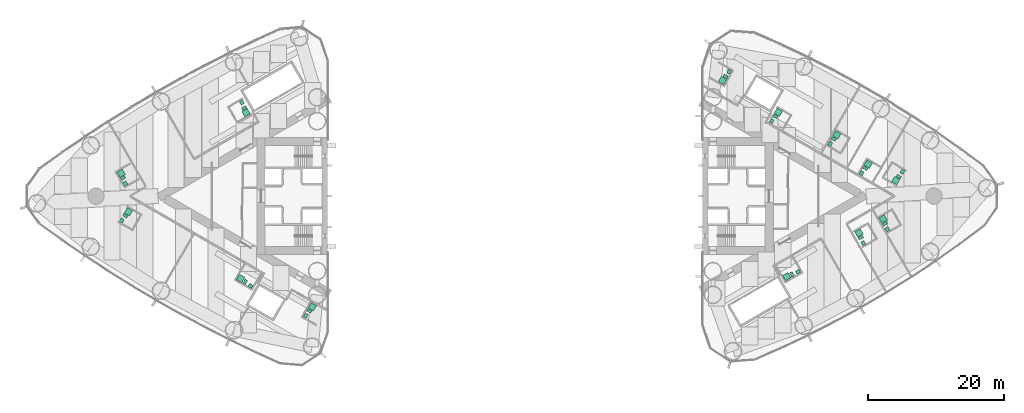
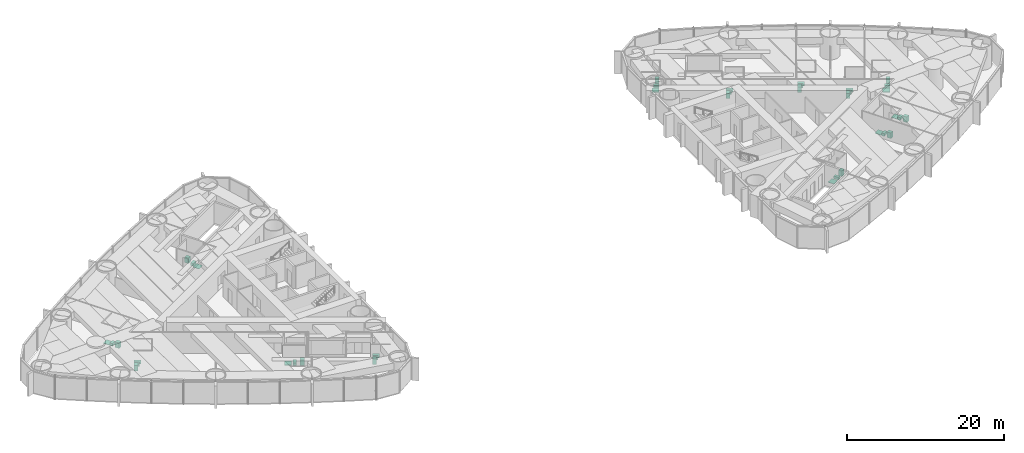
# One storey, part 18 of 18: 17 sanitary terminals.
"""IFC4 building model written with IfcOpenShell, lengths in metres."""

from ifc_helpers import new_model, si_unit, direction, frame, origin, origin_2d, place, context, subcontext, project, spatial, rectangle, extrude, material, type_object, element, save


model = new_model("IFC4")

# Units and contexts
model_context = context("Model", 3, precision=1e-05, world=origin(), true_north=direction((0.0, 1.0)))
body_context = subcontext(model_context, "Body", "Model", "MODEL_VIEW")
ifc_project = project(units=[si_unit("LENGTHUNIT", "METRE"), si_unit("AREAUNIT", "SQUARE_METRE"), si_unit("VOLUMEUNIT", "CUBIC_METRE"), si_unit("PLANEANGLEUNIT", "RADIAN"), si_unit("MASSUNIT", "GRAM", prefix="KILO")], contexts=[model_context])

# Site, building, storey
site_placement = place(None, origin())
site = spatial("IfcSite", under=ifc_project, at=site_placement, CompositionType="ELEMENT")
building_placement = place(site_placement, origin())
building = spatial("IfcBuilding", under=site, at=building_placement, Name="Lancet Gate Hotel", CompositionType="ELEMENT")
storey_placement = place(building_placement, frame((0.0, 0.0, 101.10009765625)))
storey = spatial("IfcBuildingStorey", under=building, at=storey_placement, Name="L26", CompositionType="ELEMENT", Elevation=101.10009765625)

# Sanitary terminals
ifc_material_1 = material(Name="Vitreous china sanitary ware")
sanitary_terminal_type_1 = type_object("IfcSanitaryTerminalType", Name="En-suite sanitary set (shower, WC, basin)", PredefinedType="USERDEFINED", material=ifc_material_1)
sanitary_terminal_1_placement = place(storey_placement, frame((-57.81689453125, 3.355224609375, 0.0), z_axis=(0.0, 0.0, 1.0), x_axis=(1.0, 0.0, 0.0)))
element("IfcSanitaryTerminal", 1, at=sanitary_terminal_1_placement, inside=storey, type_object=sanitary_terminal_type_1, Name="En-suite sanitary set (shower, WC, basin) 2604", ObjectType="EN-SUITE SANITARY SET", PredefinedType="USERDEFINED", context=body_context, shape_type="SweptSolid", body=[
    extrude(rectangle(XDim=0.89990234375, YDim=0.89990234375, at=origin_2d()), frame((0.0, 0.0, 0.0), z_axis=(0.0, 0.0, 1.0), x_axis=(-0.5, 0.866025403784, 0.0)), (0.0, 0.0, 1.0), 0.050048828125),
    extrude(rectangle(XDim=0.39990234375, YDim=0.699951171875, at=origin_2d()), frame((0.2783203125, -0.68212890625, 0.0), z_axis=(0.0, 0.0, 1.0), x_axis=(-0.5, 0.866025403784, 0.0)), (0.0, 0.0, 1.0), 0.39990234375),
    extrude(rectangle(XDim=0.60009765625, YDim=0.5, at=origin_2d()), frame((0.6318359375, -1.494384765625, 0.0), z_axis=(0.0, 0.0, 1.0), x_axis=(-0.5, 0.866025403784, 0.0)), (0.0, 0.0, 1.0), 0.85009765625),
])
sanitary_terminal_2_placement = place(storey_placement, frame((-56.745849609375, -2.28759765625, 0.0), z_axis=(0.0, 0.0, 1.0), x_axis=(1.0, 0.0, 0.0)))
element("IfcSanitaryTerminal", 2, at=sanitary_terminal_2_placement, inside=storey, type_object=sanitary_terminal_type_1, Name="En-suite sanitary set (shower, WC, basin) 2605", ObjectType="EN-SUITE SANITARY SET", PredefinedType="USERDEFINED", context=body_context, shape_type="SweptSolid", body=[
    extrude(rectangle(XDim=0.89990234375, YDim=0.89990234375, at=origin_2d()), frame((0.0, 0.0, 0.0), z_axis=(0.0, 0.0, 1.0), x_axis=(0.5, 0.866025403784, 0.0)), (0.0, 0.0, 1.0), 0.050048828125),
    extrude(rectangle(XDim=0.39990234375, YDim=0.699951171875, at=origin_2d()), frame((-0.45166015625, -0.582275390625, 0.0), z_axis=(0.0, 0.0, 1.0), x_axis=(0.5, 0.866025403784, 0.0)), (0.0, 0.0, 1.0), 0.39990234375),
    extrude(rectangle(XDim=0.60009765625, YDim=0.5, at=origin_2d()), frame((-0.978271484375, -1.29443359375, 0.0), z_axis=(0.0, 0.0, 1.0), x_axis=(0.5, 0.866025403784, 0.0)), (0.0, 0.0, 1.0), 0.85009765625),
])
sanitary_terminal_3_placement = place(storey_placement, frame((-39.488525390625, 12.251220703125, 0.0), z_axis=(0.0, 0.0, 1.0), x_axis=(1.0, 0.0, 0.0)))
element("IfcSanitaryTerminal", 3, at=sanitary_terminal_3_placement, inside=storey, type_object=sanitary_terminal_type_1, Name="En-suite sanitary set (shower, WC, basin) 2602", ObjectType="EN-SUITE SANITARY SET", PredefinedType="USERDEFINED", context=body_context, shape_type="SweptSolid", body=[
    extrude(rectangle(XDim=0.89990234375, YDim=0.89990234375, at=origin_2d()), frame((0.0, 0.0, 0.0), z_axis=(0.0, 0.0, 1.0), x_axis=(0.5, -0.866025403784, 0.0)), (0.0, 0.0, 1.0), 0.050048828125),
    extrude(rectangle(XDim=0.39990234375, YDim=0.699951171875, at=origin_2d()), frame((-0.2783203125, 0.68212890625, 0.0), z_axis=(0.0, 0.0, 1.0), x_axis=(0.5, -0.866025403784, 0.0)), (0.0, 0.0, 1.0), 0.39990234375),
    extrude(rectangle(XDim=0.60009765625, YDim=0.5, at=origin_2d()), frame((-0.6318359375, 1.494384765625, 0.0), z_axis=(0.0, 0.0, 1.0), x_axis=(0.5, -0.866025403784, 0.0)), (0.0, 0.0, 1.0), 0.85009765625),
])
sanitary_terminal_4_placement = place(storey_placement, frame((-29.751708984375, -16.256103515625, 0.0), z_axis=(0.0, 0.0, 1.0), x_axis=(1.0, 0.0, 0.0)))
element("IfcSanitaryTerminal", 4, at=sanitary_terminal_4_placement, inside=storey, type_object=sanitary_terminal_type_1, Name="En-suite sanitary set (shower, WC, basin) 2608", ObjectType="EN-SUITE SANITARY SET", PredefinedType="USERDEFINED", context=body_context, shape_type="SweptSolid", body=[
    extrude(rectangle(XDim=0.89990234375, YDim=0.89990234375, at=origin_2d()), frame((0.0, 0.0, 0.0), z_axis=(0.0, 0.0, 1.0), x_axis=(0.5, 0.866025403784, 0.0)), (0.0, 0.0, 1.0), 0.050048828125),
    extrude(rectangle(XDim=0.39990234375, YDim=0.699951171875, at=origin_2d()), frame((-0.45166015625, -0.582275390625, 0.0), z_axis=(0.0, 0.0, 1.0), x_axis=(0.5, 0.866025403784, 0.0)), (0.0, 0.0, 1.0), 0.39990234375),
    extrude(rectangle(XDim=0.60009765625, YDim=0.5, at=origin_2d()), frame((-0.978271484375, -1.29443359375, 0.0), z_axis=(0.0, 0.0, 1.0), x_axis=(0.5, 0.866025403784, 0.0)), (0.0, 0.0, 1.0), 0.85009765625),
])
sanitary_terminal_5_placement = place(storey_placement, frame((50.478515625, -5.406005859375, 0.0), z_axis=(0.0, 0.0, 1.0), x_axis=(1.0, 0.0, 0.0)))
element("IfcSanitaryTerminal", 5, at=sanitary_terminal_5_placement, inside=storey, type_object=sanitary_terminal_type_1, Name="En-suite sanitary set (shower, WC, basin) 2656", ObjectType="EN-SUITE SANITARY SET", PredefinedType="USERDEFINED", context=body_context, shape_type="SweptSolid", body=[
    extrude(rectangle(XDim=0.89990234375, YDim=0.89990234375, at=origin_2d()), frame((0.0, 0.0, 0.0), z_axis=(0.0, 0.0, 1.0), x_axis=(-0.5, 0.866025403784, 0.0)), (0.0, 0.0, 1.0), 0.050048828125),
    extrude(rectangle(XDim=0.39990234375, YDim=0.699951171875, at=origin_2d()), frame((0.278564453125, -0.682373046875, 0.0), z_axis=(0.0, 0.0, 1.0), x_axis=(-0.5, 0.866025403784, 0.0)), (0.0, 0.0, 1.0), 0.39990234375),
    extrude(rectangle(XDim=0.60009765625, YDim=0.5, at=origin_2d()), frame((0.6318359375, -1.494384765625, 0.0), z_axis=(0.0, 0.0, 1.0), x_axis=(-0.5, 0.866025403784, 0.0)), (0.0, 0.0, 1.0), 0.85009765625),
])
sanitary_terminal_6_placement = place(storey_placement, frame((54.02490234375, -3.358642578125, 0.0), z_axis=(0.0, 0.0, 1.0), x_axis=(1.0, 0.0, 0.0)))
element("IfcSanitaryTerminal", 6, at=sanitary_terminal_6_placement, inside=storey, type_object=sanitary_terminal_type_1, Name="En-suite sanitary set (shower, WC, basin) 2657", ObjectType="EN-SUITE SANITARY SET", PredefinedType="USERDEFINED", context=body_context, shape_type="SweptSolid", body=[
    extrude(rectangle(XDim=0.89990234375, YDim=0.89990234375, at=origin_2d()), frame((0.0, 0.0, 0.0), z_axis=(0.0, 0.0, 1.0), x_axis=(-0.5, 0.866025403784, 0.0)), (0.0, 0.0, 1.0), 0.050048828125),
    extrude(rectangle(XDim=0.39990234375, YDim=0.699951171875, at=origin_2d()), frame((0.278564453125, -0.68212890625, 0.0), z_axis=(0.0, 0.0, 1.0), x_axis=(-0.5, 0.866025403784, 0.0)), (0.0, 0.0, 1.0), 0.39990234375),
    extrude(rectangle(XDim=0.60009765625, YDim=0.5, at=origin_2d()), frame((0.6318359375, -1.494140625, 0.0), z_axis=(0.0, 0.0, 1.0), x_axis=(-0.5, 0.866025403784, 0.0)), (0.0, 0.0, 1.0), 0.85009765625),
])
sanitary_terminal_7_placement = place(storey_placement, frame((55.8798828125, 2.28759765625, 0.0), z_axis=(0.0, 0.0, 1.0), x_axis=(1.0, 0.0, 0.0)))
element("IfcSanitaryTerminal", 7, at=sanitary_terminal_7_placement, inside=storey, type_object=sanitary_terminal_type_1, Name="En-suite sanitary set (shower, WC, basin) 2658", ObjectType="EN-SUITE SANITARY SET", PredefinedType="USERDEFINED", context=body_context, shape_type="SweptSolid", body=[
    extrude(rectangle(XDim=0.89990234375, YDim=0.89990234375, at=origin_2d()), frame((0.0, 0.0, 0.0), z_axis=(0.0, 0.0, 1.0), x_axis=(-0.5, -0.866025403784, 0.0)), (0.0, 0.0, 1.0), 0.050048828125),
    extrude(rectangle(XDim=0.39990234375, YDim=0.699951171875, at=origin_2d()), frame((0.45166015625, 0.582275390625, 0.0), z_axis=(0.0, 0.0, 1.0), x_axis=(-0.5, -0.866025403784, 0.0)), (0.0, 0.0, 1.0), 0.39990234375),
    extrude(rectangle(XDim=0.60009765625, YDim=0.5, at=origin_2d()), frame((0.978271484375, 1.29443359375, 0.0), z_axis=(0.0, 0.0, 1.0), x_axis=(-0.5, -0.866025403784, 0.0)), (0.0, 0.0, 1.0), 0.85009765625),
])
sanitary_terminal_8_placement = place(storey_placement, frame((51.8466796875, 4.685546875, 0.0), z_axis=(0.0, 0.0, 1.0), x_axis=(1.0, 0.0, 0.0)))
element("IfcSanitaryTerminal", 8, at=sanitary_terminal_8_placement, inside=storey, type_object=sanitary_terminal_type_1, Name="En-suite sanitary set (shower, WC, basin) 2659", ObjectType="EN-SUITE SANITARY SET", PredefinedType="USERDEFINED", context=body_context, shape_type="SweptSolid", body=[
    extrude(rectangle(XDim=0.89990234375, YDim=0.89990234375, at=origin_2d()), frame((0.0, 0.0, 0.0), z_axis=(0.0, 0.0, 1.0), x_axis=(0.5, 0.866025403784, 0.0)), (0.0, 0.0, 1.0), 0.050048828125),
    extrude(rectangle(XDim=0.39990234375, YDim=0.699951171875, at=origin_2d()), frame((-0.45166015625, -0.58203125, 0.0), z_axis=(0.0, 0.0, 1.0), x_axis=(0.5, 0.866025403784, 0.0)), (0.0, 0.0, 1.0), 0.39990234375),
    extrude(rectangle(XDim=0.60009765625, YDim=0.5, at=origin_2d()), frame((-0.978271484375, -1.294189453125, 0.0), z_axis=(0.0, 0.0, 1.0), x_axis=(0.5, 0.866025403784, 0.0)), (0.0, 0.0, 1.0), 0.85009765625),
])
for number, where, z_axis, x_axis, name in (
    (9, (47.227294921875, 8.96923828125, 0.0), (0.0, 0.0, 1.0), (1.0, 0.0, 0.0), "En-suite sanitary set (shower, WC, basin) 2660"),
    (10, (38.652587890625, 12.30322265625, 0.0), (0.0, 0.0, 1.0), (1.0, 0.0, 0.0), "En-suite sanitary set (shower, WC, basin) 2661"),
):
    element("IfcSanitaryTerminal", number, at=place(storey_placement, frame(where, z_axis=z_axis, x_axis=x_axis)), inside=storey, type_object=sanitary_terminal_type_1, Name=name, ObjectType="EN-SUITE SANITARY SET", PredefinedType="USERDEFINED", context=body_context, shape_type="SweptSolid", body=[
        extrude(rectangle(XDim=0.89990234375, YDim=0.89990234375, at=origin_2d()), frame((0.0, 0.0, 0.0), z_axis=(0.0, 0.0, 1.0), x_axis=(0.5, 0.866025403784, 0.0)), (0.0, 0.0, 1.0), 0.050048828125),
        extrude(rectangle(XDim=0.39990234375, YDim=0.699951171875, at=origin_2d()), frame((-0.45166015625, -0.582275390625, 0.0), z_axis=(0.0, 0.0, 1.0), x_axis=(0.5, 0.866025403784, 0.0)), (0.0, 0.0, 1.0), 0.39990234375),
        extrude(rectangle(XDim=0.60009765625, YDim=0.5, at=origin_2d()), frame((-0.978271484375, -1.29443359375, 0.0), z_axis=(0.0, 0.0, 1.0), x_axis=(0.5, 0.866025403784, 0.0)), (0.0, 0.0, 1.0), 0.85009765625),
    ])
sanitary_terminal_9_placement = place(storey_placement, frame((30.45166015625, 16.968505859375, 0.0), z_axis=(0.0, 0.0, 1.0), x_axis=(1.0, 0.0, 0.0)))
element("IfcSanitaryTerminal", 11, at=sanitary_terminal_9_placement, inside=storey, type_object=sanitary_terminal_type_1, Name="En-suite sanitary set (shower, WC, basin) 2664", ObjectType="EN-SUITE SANITARY SET", PredefinedType="USERDEFINED", context=body_context, shape_type="SweptSolid", body=[
    extrude(rectangle(XDim=0.89990234375, YDim=0.89990234375, at=origin_2d()), frame((0.0, 0.0, 0.0), z_axis=(0.0, 0.0, 1.0), x_axis=(-0.5, -0.866025403784, 0.0)), (0.0, 0.0, 1.0), 0.050048828125),
    extrude(rectangle(XDim=0.39990234375, YDim=0.699951171875, at=origin_2d()), frame((0.45166015625, 0.582275390625, 0.0), z_axis=(0.0, 0.0, 1.0), x_axis=(-0.5, -0.866025403784, 0.0)), (0.0, 0.0, 1.0), 0.39990234375),
    extrude(rectangle(XDim=0.60009765625, YDim=0.5, at=origin_2d()), frame((0.978271484375, 1.29443359375, 0.0), z_axis=(0.0, 0.0, 1.0), x_axis=(-0.5, -0.866025403784, 0.0)), (0.0, 0.0, 1.0), 0.85009765625),
])
ifc_material_2 = material(Name="Stone resin shower tray", Category="masonry")
sanitary_terminal_type_2 = type_object("IfcSanitaryTerminalType", Name="Shower tray 900", PredefinedType="SHOWER", material=ifc_material_2)
for number, where, z_axis, x_axis, name in (
    (12, (-40.2763671875, -12.0966796875, 0.0), (0.0, 0.0, 1.0), (-0.866025403784, 0.5, 0.0), "Shower tray 900 2607"),
    (13, (39.87841796875, -11.826416015625, 0.0), (0.0, 0.0, 1.0), (-0.866025403784, -0.5, 0.0), "Shower tray 900 2653"),
):
    element("IfcSanitaryTerminal", number, at=place(storey_placement, frame(where, z_axis=z_axis, x_axis=x_axis)), inside=storey, type_object=sanitary_terminal_type_2, Name=name, PredefinedType="SHOWER", context=body_context, shape_type="SweptSolid", body=[
        extrude(rectangle(XDim=0.89990234375, YDim=0.89990234375, at=origin_2d()), origin(), (0.0, 0.0, 1.0), 0.050048828125),
    ])
ifc_material_3 = material(Name="Vitreous china sanitary ware")
sanitary_terminal_type_3 = type_object("IfcSanitaryTerminalType", Name="Vanity basin 600", PredefinedType="WASHHANDBASIN", material=ifc_material_3)
for number, where, z_axis, x_axis, name in (
    (14, (-38.808837890625, -13.1748046875, -0.000244140625), (0.0, 0.0, 1.0), (-0.866025403784, 0.5, 0.0), "Vanity basin 600 2607"),
    (15, (41.5458984375, -11.094482421875, -0.000244140625), (0.0, 0.0, 1.0), (-0.866025403784, -0.5, 0.0), "Vanity basin 600 2653"),
):
    element("IfcSanitaryTerminal", number, at=place(storey_placement, frame(where, z_axis=z_axis, x_axis=x_axis)), inside=storey, type_object=sanitary_terminal_type_3, Name=name, PredefinedType="WASHHANDBASIN", context=body_context, shape_type="SweptSolid", body=[
        extrude(rectangle(XDim=0.60009765625, YDim=0.5, at=origin_2d()), origin(), (0.0, 0.0, 1.0), 0.85009765625),
    ])
ifc_material_4 = material(Name="Vitreous china sanitary ware")
sanitary_terminal_type_4 = type_object("IfcSanitaryTerminalType", Name="WC pan wall hung", PredefinedType="TOILETPAN", material=ifc_material_4)
for number, where, z_axis, x_axis, name in (
    (16, (-39.607421875, -12.59814453125, 0.0), (0.0, 0.0, 1.0), (-0.866025403784, 0.5, 0.0), "WC pan wall hung 2607"),
    (17, (40.647216796875, -11.497802734375, 0.0), (0.0, 0.0, 1.0), (-0.866025403784, -0.5, 0.0), "WC pan wall hung 2653"),
):
    element("IfcSanitaryTerminal", number, at=place(storey_placement, frame(where, z_axis=z_axis, x_axis=x_axis)), inside=storey, type_object=sanitary_terminal_type_4, Name=name, PredefinedType="TOILETPAN", context=body_context, shape_type="SweptSolid", body=[
        extrude(rectangle(XDim=0.39990234375, YDim=0.699951171875, at=origin_2d()), origin(), (0.0, 0.0, 1.0), 0.39990234375),
    ])

save(model, "model.ifc")
